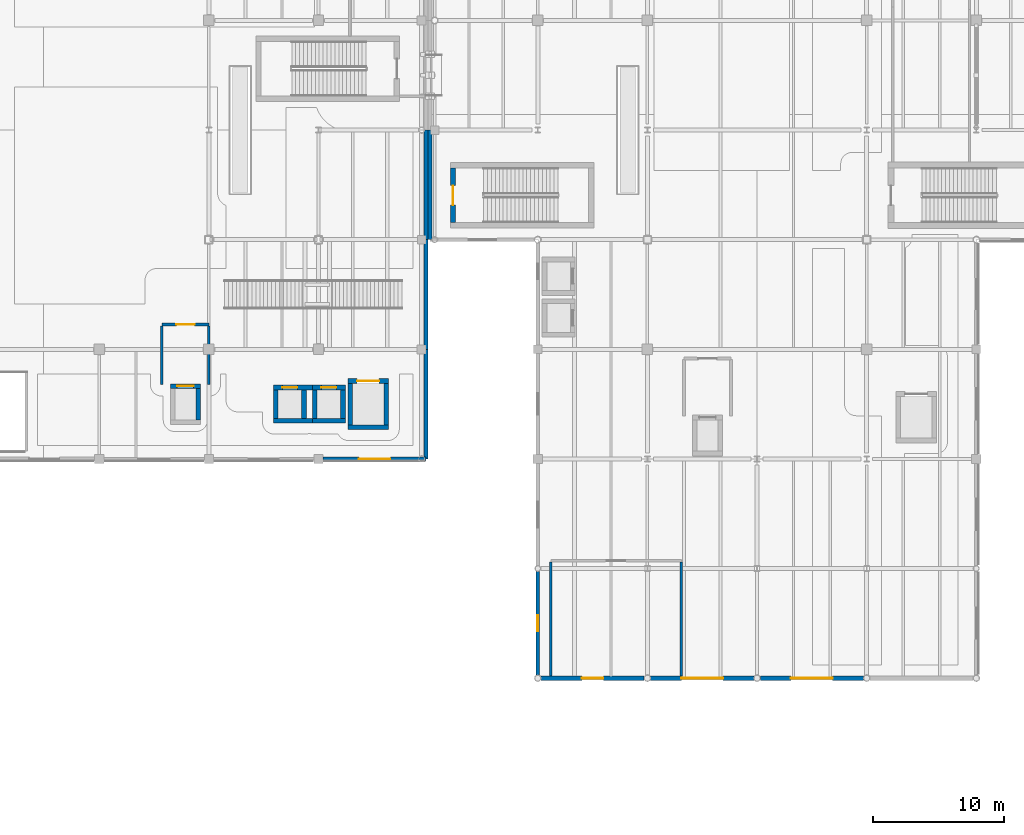
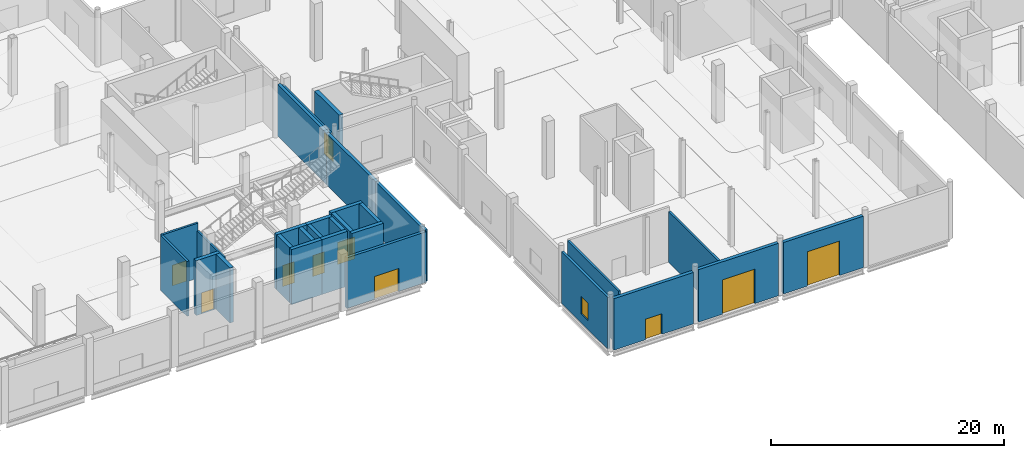
# One storey, part 44 of 85: 29 walls, 10 doors, 1 window, 11 openings.
"""IFC4 building model written with IfcOpenShell, lengths in metres."""

from ifc_helpers import new_model, si_unit, direction, frame, frame_2d, origin, place, context, subcontext, project, spatial, rectangle, extrude, material, layer, layer_set, type_object, element, fill, save


model = new_model("IFC4")

# Units and contexts
model_context = context("Model", 3, precision=1e-05, world=origin(), true_north=direction((0.0, 1.0)))
body_context = subcontext(model_context, "Body", "Model", "MODEL_VIEW")
ifc_project = project(units=[si_unit("LENGTHUNIT", "METRE"), si_unit("AREAUNIT", "SQUARE_METRE"), si_unit("VOLUMEUNIT", "CUBIC_METRE"), si_unit("PLANEANGLEUNIT", "RADIAN"), si_unit("MASSUNIT", "GRAM", prefix="KILO"), si_unit("THERMODYNAMICTEMPERATUREUNIT", "KELVIN")], contexts=[model_context])

# Site, building, storey
site_placement = place(None, origin())
site = spatial("IfcSite", under=ifc_project, at=site_placement, CompositionType="ELEMENT")
building_placement = place(site_placement, origin())
building = spatial("IfcBuilding", under=site, at=building_placement, Name="Lustrewick Department Store", CompositionType="ELEMENT")
storey_placement = place(building_placement, origin())
storey = spatial("IfcBuildingStorey", under=building, at=storey_placement, Name="L01", CompositionType="ELEMENT", Elevation=0.0)

# Wall, opening, window
ifc_material_1 = material(Name="Precast concrete C40", Category="concrete")
ifc_layer_1 = layer(ifc_material_1, 0.239990234375, Name="Precast concrete C40")
ifc_layer_set_1 = layer_set([ifc_layer_1], Name="Precast concrete C40")
wall_type_1 = type_object("IfcWallType", Name="EW01", PredefinedType="STANDARD", material=ifc_layer_set_1)
wall_1_placement = place(storey_placement, frame((67.199951171875, 33.37646484375, 0.0), z_axis=(0.0, 0.0, 1.0), x_axis=(0.0, -1.0, 0.0)))
wall_1 = element("IfcWall", 1, at=wall_1_placement, inside=storey, type_object=wall_type_1, Name="L01 V2 Exterior Wall EW01", PredefinedType="STANDARD", context=body_context, shape_type="SweptSolid", body=[
    extrude(rectangle(XDim=7.927490234375, YDim=0.239990234375, at=frame_2d((3.9638671875, 0.0))), origin(), (0.0, 0.0, 1.0), 5.386962890625),
])
opening_1_placement = place(wall_1_placement, frame((3.36376953125, 0.0, 0.949951171875)))
opening_1 = element("IfcOpeningElement", 2, at=opening_1_placement, cuts=wall_1, Name="Opening WN01", PredefinedType="OPENING", context=body_context, shape_type="SweptSolid", body=[
    extrude(rectangle(XDim=1.199951171875, YDim=1.800048828125, at=frame_2d((0.60009765625, 0.89990234375))), frame((0.0, 0.1298828125, 0.0), z_axis=(0.0, -1.0, 0.0), x_axis=(1.0, 0.0, 0.0)), (0.0, 0.0, 1.0), 0.260009765625),
])
ifc_material_2 = material(Name="Thermally broken Low-E triple-glazed window", Category="glass")
window_type = type_object("IfcWindowType", Name="WN01", PartitioningType="DOUBLE_PANEL_VERTICAL", PredefinedType="WINDOW", material=ifc_material_2)
window_placement = place(opening_1_placement, origin())
window = element("IfcWindow", 3, at=window_placement, inside=storey, type_object=window_type, Name="L01 Art Nouveau Window WN01", OverallHeight=1.800048828125, OverallWidth=1.199951171875, PartitioningType="SINGLE_PANEL", PredefinedType="WINDOW", context=body_context, shape_type="SweptSolid", body=[
    extrude(rectangle(XDim=1.199951171875, YDim=1.800048828125, at=frame_2d((0.60009765625, 0.89990234375))), frame((0.0, 0.030029296875, 0.0), z_axis=(0.0, -1.0, 0.0), x_axis=(1.0, 0.0, 0.0)), (0.0, 0.0, 1.0), 0.06005859375),
])
fill(opening_1, window)

# Wall, opening, door
ifc_layer_2 = layer(ifc_material_1, 0.280029296875, Name="Precast concrete C40")
ifc_layer_set_2 = layer_set([ifc_layer_2], Name="Precast concrete C40")
wall_type_2 = type_object("IfcWallType", Name="EW03", PredefinedType="STANDARD", material=ifc_layer_set_2)
wall_2_placement = place(storey_placement, frame((50.7451171875, 42.0, 0.0), z_axis=(0.0, 0.0, 1.0), x_axis=(1.0, 0.0, 0.0)))
wall_2 = element("IfcWall", 4, at=wall_2_placement, inside=storey, type_object=wall_type_2, Name="L01 V1 Exterior Wall EW03", PredefinedType="STANDARD", context=body_context, shape_type="SweptSolid", body=[
    extrude(rectangle(XDim=7.90478515625, YDim=0.280029296875, at=frame_2d((3.952392578125, 0.0))), origin(), (0.0, 0.0, 1.0), 5.297119140625),
])
opening_2_placement = place(wall_2_placement, frame((2.75244140625, 0.0, 0.0)))
opening_2 = element("IfcOpeningElement", 5, at=opening_2_placement, cuts=wall_2, Name="Opening D-EX24", PredefinedType="OPENING", context=body_context, shape_type="SweptSolid", body=[
    extrude(rectangle(XDim=2.39990234375, YDim=2.39990234375, at=frame_2d((1.199951171875, 1.199951171875))), frame((0.0, 0.14990234375, 0.0), z_axis=(0.0, -1.0, 0.0), x_axis=(1.0, 0.0, 0.0)), (0.0, 0.0, 1.0), 0.300048828125),
])
ifc_material_3 = material(Name="Thermally broken glazed aluminium entrance door", Category="aluminium")
door_type_1 = type_object("IfcDoorType", Name="DT-02", OperationType="NOTDEFINED", PredefinedType="DOOR", material=ifc_material_3)
door_1_placement = place(opening_2_placement, frame((2.39990234375, 0.0, 0.0), z_axis=(0.0, 0.0, 1.0), x_axis=(-1.0, 0.0, 0.0)))
door_1 = element("IfcDoor", 6, at=door_1_placement, inside=storey, type_object=door_type_1, Name="L01 Pedestrian Final Exit Door D-EX24", OperationType="DOUBLE_DOOR_SINGLE_SWING", OverallHeight=2.39990234375, OverallWidth=2.39990234375, PredefinedType="DOOR", context=body_context, shape_type="SweptSolid", body=[
    extrude(rectangle(XDim=2.39990234375, YDim=2.39990234375, at=frame_2d((1.199951171875, 1.199951171875))), frame((0.0, 0.02490234375, 0.0), z_axis=(0.0, -1.0, 0.0), x_axis=(1.0, 0.0, 0.0)), (0.0, 0.0, 1.0), 0.050048828125),
])
fill(opening_2, door_1)

# Walls
ifc_layer_3 = layer(ifc_material_1, 0.300048828125, Name="Precast concrete C40")
ifc_layer_set_3 = layer_set([ifc_layer_3], Name="Precast concrete C40")
wall_type_3 = type_object("IfcWallType", Name="EW04", PredefinedType="STANDARD", material=ifc_layer_set_3)
wall_3_placement = place(storey_placement, frame((58.64990234375, 42.0, 0.0), z_axis=(0.0, 0.0, 1.0), x_axis=(0.0, 1.0, 0.0)))
element("IfcWall", 7, at=wall_3_placement, inside=storey, type_object=wall_type_3, Name="L01 V1 Exterior Wall EW04", PredefinedType="STANDARD", context=body_context, shape_type="SweptSolid", body=[
    extrude(rectangle(XDim=8.39990234375, YDim=0.300048828125, at=frame_2d((4.199951171875, 0.0))), origin(), (0.0, 0.0, 1.0), 5.386962890625),
])
wall_4_placement = place(storey_placement, frame((58.64990234375, 50.39990234375, 0.0), z_axis=(0.0, 0.0, 1.0), x_axis=(0.0, 1.0, 0.0)))
element("IfcWall", 8, at=wall_4_placement, inside=storey, type_object=wall_type_3, Name="L01 V1 Exterior Wall EW04", PredefinedType="STANDARD", context=body_context, shape_type="SweptSolid", body=[
    extrude(rectangle(XDim=8.400146484375, YDim=0.300048828125, at=frame_2d((4.2001953125, 0.0))), origin(), (0.0, 0.0, 1.0), 5.386962890625),
])
wall_5_placement = place(storey_placement, frame((58.64990234375, 58.800048828125, 0.0), z_axis=(0.0, 0.0, 1.0), x_axis=(0.0, 1.0, 0.0)))
element("IfcWall", 9, at=wall_5_placement, inside=storey, type_object=wall_type_3, Name="L01 V1 Exterior Wall EW04", PredefinedType="STANDARD", context=body_context, shape_type="SweptSolid", body=[
    extrude(rectangle(XDim=8.39990234375, YDim=0.300048828125, at=frame_2d((4.199951171875, 0.0))), origin(), (0.0, 0.0, 1.0), 5.386962890625),
])
wall_6_placement = place(storey_placement, frame((58.949951171875, 67.199951171875, 0.0), z_axis=(0.0, 0.0, 1.0), x_axis=(0.0, -1.0, 0.0)))
element("IfcWall", 10, at=wall_6_placement, inside=storey, type_object=wall_type_3, Name="L01 V2 Exterior Wall EW04", PredefinedType="STANDARD", context=body_context, shape_type="SweptSolid", body=[
    extrude(rectangle(XDim=8.39990234375, YDim=0.300048828125, at=frame_2d((4.199951171875, 0.0))), origin(), (0.0, 0.0, 1.0), 5.23095703125),
])

# Wall, opening, door
ifc_layer_4 = layer(ifc_material_1, 0.330078125, Name="Precast concrete C40")
ifc_layer_set_4 = layer_set([ifc_layer_4], Name="Precast concrete C40")
wall_type_4 = type_object("IfcWallType", Name="EW05", PredefinedType="STANDARD", material=ifc_layer_set_4)
wall_7_placement = place(storey_placement, frame((67.448974609375, 25.199951171875, 0.0), z_axis=(0.0, 0.0, 1.0), x_axis=(1.0, 0.0, 0.0)))
wall_7 = element("IfcWall", 11, at=wall_7_placement, inside=storey, type_object=wall_type_4, Name="L01 V2 Exterior Wall EW05", PredefinedType="STANDARD", context=body_context, shape_type="SweptSolid", body=[
    extrude(rectangle(XDim=7.902099609375, YDim=0.330078125, at=frame_2d((3.951171875, 0.0))), origin(), (0.0, 0.0, 1.0), 5.386962890625),
])
opening_3_placement = place(wall_7_placement, frame((3.1259765625, 0.0, 0.0)))
opening_3 = element("IfcOpeningElement", 12, at=opening_3_placement, cuts=wall_7, Name="Opening D-L01-FCR", PredefinedType="OPENING", context=body_context, shape_type="SweptSolid", body=[
    extrude(rectangle(XDim=1.64990234375, YDim=2.14990234375, at=frame_2d((0.824951171875, 1.074951171875))), frame((0.0, 0.175048828125, 0.0), z_axis=(0.0, -1.0, 0.0), x_axis=(1.0, 0.0, 0.0)), (0.0, 0.0, 1.0), 0.35009765625),
])
ifc_material_4 = material(Name="Steel fire-rated exterior service door EI 60", Category="steel")
door_type_2 = type_object("IfcDoorType", Name="DT-04", OperationType="NOTDEFINED", PredefinedType="DOOR", material=ifc_material_4)
door_2_placement = place(opening_3_placement, frame((1.64990234375, 0.0, 0.0), z_axis=(0.0, 0.0, 1.0), x_axis=(-1.0, 0.0, 0.0)))
door_2 = element("IfcDoor", 13, at=door_2_placement, inside=storey, type_object=door_type_2, Name="L01 Fire Control Room Exterior Exit Door", OperationType="DOUBLE_DOOR_SINGLE_SWING", OverallHeight=2.14990234375, OverallWidth=1.64990234375, PredefinedType="DOOR", context=body_context, shape_type="SweptSolid", body=[
    extrude(rectangle(XDim=1.64990234375, YDim=2.14990234375, at=frame_2d((0.824951171875, 1.074951171875))), frame((0.0, 0.02490234375, 0.0), z_axis=(0.0, -1.0, 0.0), x_axis=(1.0, 0.0, 0.0)), (0.0, 0.0, 1.0), 0.050048828125),
])
fill(opening_3, door_2)

wall_8_placement = place(storey_placement, frame((75.84912109375, 25.199951171875, 0.0), z_axis=(0.0, 0.0, 1.0), x_axis=(1.0, 0.0, 0.0)))
wall_8 = element("IfcWall", 14, at=wall_8_placement, inside=storey, type_object=wall_type_4, Name="L01 V2 Exterior Wall EW05", PredefinedType="STANDARD", context=body_context, shape_type="SweptSolid", body=[
    extrude(rectangle(XDim=7.90185546875, YDim=0.330078125, at=frame_2d((3.950927734375, 0.0))), origin(), (0.0, 0.0, 1.0), 5.487060546875),
])
opening_4_placement = place(wall_8_placement, frame((2.35107421875, 0.0, 0.0)))
opening_4 = element("IfcOpeningElement", 15, at=opening_4_placement, cuts=wall_8, Name="Opening D-DK01", PredefinedType="OPENING", context=body_context, shape_type="SweptSolid", body=[
    extrude(rectangle(XDim=3.199951171875, YDim=3.60009765625, at=frame_2d((1.60009765625, 1.800048828125))), frame((0.0, 0.175048828125, 0.0), z_axis=(0.0, -1.0, 0.0), x_axis=(1.0, 0.0, 0.0)), (0.0, 0.0, 1.0), 0.35009765625),
])
ifc_material_5 = material(Name="Insulated steel loading-dock shutter door", Category="steel")
door_type_3 = type_object("IfcDoorType", Name="DT-05", OperationType="NOTDEFINED", PredefinedType="DOOR", material=ifc_material_5)
door_3_placement = place(opening_4_placement, frame((3.199951171875, 0.0, 0.0), z_axis=(0.0, 0.0, 1.0), x_axis=(-1.0, 0.0, 0.0)))
door_3 = element("IfcDoor", 16, at=door_3_placement, inside=storey, type_object=door_type_3, Name="L01 South Loading Dock Door 1", OperationType="DOUBLE_DOOR_SLIDING", OverallHeight=3.60009765625, OverallWidth=3.199951171875, PredefinedType="DOOR", context=body_context, shape_type="SweptSolid", body=[
    extrude(rectangle(XDim=3.199951171875, YDim=3.60009765625, at=frame_2d((1.60009765625, 1.800048828125))), frame((0.0, 0.02490234375, 0.0), z_axis=(0.0, -1.0, 0.0), x_axis=(1.0, 0.0, 0.0)), (0.0, 0.0, 1.0), 0.050048828125),
])
fill(opening_4, door_3)

wall_9_placement = place(storey_placement, frame((84.2490234375, 25.199951171875, 0.0), z_axis=(0.0, 0.0, 1.0), x_axis=(1.0, 0.0, 0.0)))
wall_9 = element("IfcWall", 17, at=wall_9_placement, inside=storey, type_object=wall_type_4, Name="L01 V2 Exterior Wall EW05", PredefinedType="STANDARD", context=body_context, shape_type="SweptSolid", body=[
    extrude(rectangle(XDim=7.90185546875, YDim=0.330078125, at=frame_2d((3.950927734375, 0.0))), origin(), (0.0, 0.0, 1.0), 5.386962890625),
])
opening_5_placement = place(wall_9_placement, frame((2.35107421875, 0.0, 0.0)))
opening_5 = element("IfcOpeningElement", 18, at=opening_5_placement, cuts=wall_9, Name="Opening D-DK02", PredefinedType="OPENING", context=body_context, shape_type="SweptSolid", body=[
    extrude(rectangle(XDim=3.199951171875, YDim=3.60009765625, at=frame_2d((1.60009765625, 1.800048828125))), frame((0.0, 0.175048828125, 0.0), z_axis=(0.0, -1.0, 0.0), x_axis=(1.0, 0.0, 0.0)), (0.0, 0.0, 1.0), 0.35009765625),
])
door_4_placement = place(opening_5_placement, frame((3.199951171875, 0.0, 0.0), z_axis=(0.0, 0.0, 1.0), x_axis=(-1.0, 0.0, 0.0)))
door_4 = element("IfcDoor", 19, at=door_4_placement, inside=storey, type_object=door_type_3, Name="L01 South Loading Dock Door 2", OperationType="DOUBLE_DOOR_SLIDING", OverallHeight=3.60009765625, OverallWidth=3.199951171875, PredefinedType="DOOR", context=body_context, shape_type="SweptSolid", body=[
    extrude(rectangle(XDim=3.199951171875, YDim=3.60009765625, at=frame_2d((1.60009765625, 1.800048828125))), frame((0.0, 0.02490234375, 0.0), z_axis=(0.0, -1.0, 0.0), x_axis=(1.0, 0.0, 0.0)), (0.0, 0.0, 1.0), 0.050048828125),
])
fill(opening_5, door_4)

ifc_material_6 = material(Name="Autoclaved aerated concrete blockwork and fire board", Category="masonry")
ifc_layer_5 = layer(ifc_material_6, 0.205078125, Name="Autoclaved aerated concrete blockwork and fire board")
ifc_layer_set_5 = layer_set([ifc_layer_5], Name="Autoclaved aerated concrete blockwork and fire board")
wall_type_5 = type_object("IfcWallType", Name="PW02", PredefinedType="PARTITIONING", material=ifc_layer_set_5)
wall_10_placement = place(storey_placement, frame((42.0, 52.300048828125, 0.0), z_axis=(0.0, 0.0, 1.0), x_axis=(-1.0, 0.0, 0.0)))
wall_10 = element("IfcWall", 20, at=wall_10_placement, inside=storey, type_object=wall_type_5, Name="L01 Firefighting Lift Lobby FFL-01 PW02", PredefinedType="PARTITIONING", context=body_context, shape_type="SweptSolid", body=[
    extrude(rectangle(XDim=3.60009765625, YDim=0.205078125, at=frame_2d((1.800048828125, 0.0))), origin(), (0.0, 0.0, 1.0), 5.7451171875),
])
opening_6_placement = place(wall_10_placement, frame((1.10009765625, 0.0, 0.0)))
opening_6 = element("IfcOpeningElement", 21, at=opening_6_placement, cuts=wall_10, Name="Opening D-L01-041", PredefinedType="OPENING", context=body_context, shape_type="SweptSolid", body=[
    extrude(rectangle(XDim=1.39990234375, YDim=2.14990234375, at=frame_2d((0.699951171875, 1.074951171875))), frame((0.0, 0.112548828125, 0.0), z_axis=(0.0, -1.0, 0.0), x_axis=(1.0, 0.0, 0.0)), (0.0, 0.0, 1.0), 0.22509765625),
])
ifc_material_7 = material(Name="Steel fire door Class B EI 60", Category="steel")
door_type_4 = type_object("IfcDoorType", Name="DT-08", OperationType="NOTDEFINED", PredefinedType="DOOR", material=ifc_material_7)
door_5_placement = place(opening_6_placement, origin())
door_5 = element("IfcDoor", 22, at=door_5_placement, inside=storey, type_object=door_type_4, Name="L01 Firefighting Lift Lobby FFL-01 Door D-L01-041", OperationType="SINGLE_SWING_RIGHT", OverallHeight=2.14990234375, OverallWidth=1.39990234375, PredefinedType="DOOR", context=body_context, shape_type="SweptSolid", body=[
    extrude(rectangle(XDim=1.39990234375, YDim=2.14990234375, at=frame_2d((0.699951171875, 1.074951171875))), frame((0.0, 0.02490234375, 0.0), z_axis=(0.0, -1.0, 0.0), x_axis=(1.0, 0.0, 0.0)), (0.0, 0.0, 1.0), 0.050048828125),
])
fill(opening_6, door_5)

# Walls
wall_11_placement = place(storey_placement, frame((42.0, 47.699951171875, 0.0), z_axis=(0.0, 0.0, 1.0), x_axis=(0.0, 1.0, 0.0)))
element("IfcWall", 23, at=wall_11_placement, inside=storey, type_object=wall_type_5, Name="L01 Firefighting Lift Lobby FFL-01 PW02", PredefinedType="PARTITIONING", context=body_context, shape_type="SweptSolid", body=[
    extrude(rectangle(XDim=4.50244140625, YDim=0.205078125, at=frame_2d((2.251220703125, 0.0))), origin(), (0.0, 0.0, 1.0), 4.945068359375),
])
wall_12_placement = place(storey_placement, frame((38.39990234375, 52.202392578125, 0.0), z_axis=(0.0, 0.0, 1.0), x_axis=(0.0, -1.0, 0.0)))
element("IfcWall", 24, at=wall_12_placement, inside=storey, type_object=wall_type_5, Name="L01 Firefighting Lift Lobby FFL-01 PW02", PredefinedType="PARTITIONING", context=body_context, shape_type="SweptSolid", body=[
    extrude(rectangle(XDim=4.50244140625, YDim=0.205078125, at=frame_2d((2.251220703125, 0.0))), origin(), (0.0, 0.0, 1.0), 5.7451171875),
])
wall_13_placement = place(storey_placement, frame((78.199951171875, 25.360107421875, 0.0), z_axis=(0.0, 0.0, 1.0), x_axis=(0.0, 1.0, 0.0)))
element("IfcWall", 25, at=wall_13_placement, inside=storey, type_object=wall_type_5, Name="L01 Fire Control Room PW02", PredefinedType="PARTITIONING", context=body_context, shape_type="SweptSolid", body=[
    extrude(rectangle(XDim=8.742431640625, YDim=0.205078125, at=frame_2d((4.37109375, 0.0))), origin(), (0.0, 0.0, 1.0), 5.287109375),
])
wall_14_placement = place(storey_placement, frame((68.199951171875, 34.1025390625, 0.0), z_axis=(0.0, 0.0, 1.0), x_axis=(0.0, -1.0, 0.0)))
element("IfcWall", 26, at=wall_14_placement, inside=storey, type_object=wall_type_5, Name="L01 Fire Control Room PW02", PredefinedType="PARTITIONING", context=body_context, shape_type="SweptSolid", body=[
    extrude(rectangle(XDim=8.742431640625, YDim=0.205078125, at=frame_2d((4.37109375, 0.0))), origin(), (0.0, 0.0, 1.0), 5.7451171875),
])

# Wall, opening, door
ifc_material_8 = material(Name="Concrete C50", Category="concrete")
ifc_layer_6 = layer(ifc_material_8, 0.39990234375, Name="Concrete C50")
ifc_layer_set_6 = layer_set([ifc_layer_6], Name="Concrete C50")
wall_type_6 = type_object("IfcWallType", Name="SW02", PredefinedType="SHEAR", material=ifc_layer_set_6)
wall_15_placement = place(storey_placement, frame((60.699951171875, 64.300048828125, 0.0), z_axis=(0.0, 0.0, 1.0), x_axis=(0.0, -1.0, 0.0)))
wall_15 = element("IfcWall", 27, at=wall_15_placement, inside=storey, type_object=wall_type_6, Name="L01 Stair Core ST04 Shear Wall W", PredefinedType="SHEAR", context=body_context, shape_type="SweptSolid", body=[
    extrude(rectangle(XDim=4.199951171875, YDim=0.39990234375, at=frame_2d((2.10009765625, 0.0))), origin(), (0.0, 0.0, 1.0), 5.7451171875),
])
opening_7_placement = place(wall_15_placement, frame((1.35009765625, 0.0, 0.0)))
opening_7 = element("IfcOpeningElement", 28, at=opening_7_placement, cuts=wall_15, Name="Opening D-L01-004", PredefinedType="OPENING", context=body_context, shape_type="SweptSolid", body=[
    extrude(rectangle(XDim=1.5, YDim=2.14990234375, at=frame_2d((0.75, 1.074951171875))), frame((0.0, 0.2099609375, 0.0), z_axis=(0.0, -1.0, 0.0), x_axis=(1.0, 0.0, 0.0)), (0.0, 0.0, 1.0), 0.419921875),
])
door_type_5 = type_object("IfcDoorType", Name="DT-07", OperationType="NOTDEFINED", PredefinedType="DOOR", material=ifc_material_7)
door_6_placement = place(opening_7_placement, frame((1.5, 0.0, 0.0), z_axis=(0.0, 0.0, 1.0), x_axis=(-1.0, 0.0, 0.0)))
door_6 = element("IfcDoor", 29, at=door_6_placement, inside=storey, type_object=door_type_5, Name="L01 Smoke-Proof Stair ST04 Fire Door", OperationType="SINGLE_SWING_RIGHT", OverallHeight=2.14990234375, OverallWidth=1.5, PredefinedType="DOOR", context=body_context, shape_type="SweptSolid", body=[
    extrude(rectangle(XDim=1.5, YDim=2.14990234375, at=frame_2d((0.75, 1.074951171875))), frame((0.0, 0.02490234375, 0.0), z_axis=(0.0, -1.0, 0.0), x_axis=(1.0, 0.0, 0.0)), (0.0, 0.0, 1.0), 0.050048828125),
])
fill(opening_7, door_6)

# Wall
ifc_material_9 = material(Name="Concrete C40", Category="concrete")
ifc_layer_7 = layer(ifc_material_9, 0.360107421875, Name="Concrete C40")
ifc_layer_set_7 = layer_set([ifc_layer_7], Name="Concrete C40")
wall_type_7 = type_object("IfcWallType", Name="SW04", PredefinedType="SHEAR", material=ifc_layer_set_7)
wall_16_placement = place(storey_placement, frame((41.179931640625, 45.0, 0.0), z_axis=(0.0, 0.0, 1.0), x_axis=(0.0, 1.0, 0.0)))
element("IfcWall", 30, at=wall_16_placement, inside=storey, type_object=wall_type_7, Name="L01 Lift FFL-01 Shaft Wall +X", PredefinedType="SHEAR", context=body_context, shape_type="SweptSolid", body=[
    extrude(rectangle(XDim=2.39990234375, YDim=0.360107421875, at=frame_2d((1.199951171875, 0.0))), origin(), (0.0, 0.0, 1.0), 5.7451171875),
])

# Wall, opening, door
wall_17_placement = place(storey_placement, frame((41.360107421875, 47.580078125, 0.0), z_axis=(0.0, 0.0, 1.0), x_axis=(-1.0, 0.0, 0.0)))
wall_17 = element("IfcWall", 31, at=wall_17_placement, inside=storey, type_object=wall_type_7, Name="L01 Lift FFL-01 Shaft Wall +Y", PredefinedType="SHEAR", context=body_context, shape_type="SweptSolid", body=[
    extrude(rectangle(XDim=2.320068359375, YDim=0.360107421875, at=frame_2d((1.16015625, 0.0))), origin(), (0.0, 0.0, 1.0), 5.7451171875),
])
opening_8_placement = place(wall_17_placement, frame((0.534912109375, 0.0, 0.0)))
opening_8 = element("IfcOpeningElement", 32, at=opening_8_placement, cuts=wall_17, Name="Opening LD-L01-01", PredefinedType="OPENING", context=body_context, shape_type="SweptSolid", body=[
    extrude(rectangle(XDim=1.25, YDim=2.199951171875, at=frame_2d((0.625, 1.10009765625))), frame((0.0, 0.18994140625, 0.0), z_axis=(0.0, -1.0, 0.0), x_axis=(1.0, 0.0, 0.0)), (0.0, 0.0, 1.0), 0.380126953125),
])
ifc_material_10 = material(Name="Stainless steel firefighting lift landing door EI 90", Category="steel")
door_type_6 = type_object("IfcDoorType", Name="DT-15", OperationType="NOTDEFINED", PredefinedType="DOOR", material=ifc_material_10)
door_7_placement = place(opening_8_placement, frame((1.25, 0.0, 0.0), z_axis=(0.0, 0.0, 1.0), x_axis=(-1.0, 0.0, 0.0)))
door_7 = element("IfcDoor", 33, at=door_7_placement, inside=storey, type_object=door_type_6, Name="L01 Lift FFL-01 Sliding Landing Door LD-L01-01", OperationType="DOUBLE_DOOR_SLIDING", OverallHeight=2.199951171875, OverallWidth=1.25, PredefinedType="DOOR", context=body_context, shape_type="SweptSolid", body=[
    extrude(rectangle(XDim=1.25, YDim=2.199951171875, at=frame_2d((0.625, 1.10009765625))), frame((0.0, 0.02490234375, 0.0), z_axis=(0.0, -1.0, 0.0), x_axis=(1.0, 0.0, 0.0)), (0.0, 0.0, 1.0), 0.050048828125),
])
fill(opening_8, door_7)

# Walls
wall_18_placement = place(storey_placement, frame((46.93994140625, 44.919921875, 0.0), z_axis=(0.0, 0.0, 1.0), x_axis=(1.0, 0.0, 0.0)))
element("IfcWall", 34, at=wall_18_placement, inside=storey, type_object=wall_type_7, Name="L01 Lift PL-01 Shaft Wall -Y", PredefinedType="SHEAR", context=body_context, shape_type="SweptSolid", body=[
    extrude(rectangle(XDim=3.0, YDim=0.360107421875, at=frame_2d((1.5, 0.0))), origin(), (0.0, 0.0, 1.0), 5.7451171875),
])
wall_19_placement = place(storey_placement, frame((49.280029296875, 45.10009765625, 0.0), z_axis=(0.0, 0.0, 1.0), x_axis=(0.0, 1.0, 0.0)))
element("IfcWall", 35, at=wall_19_placement, inside=storey, type_object=wall_type_7, Name="L01 Lift PL-01 Shaft Wall +X", PredefinedType="SHEAR", context=body_context, shape_type="SweptSolid", body=[
    extrude(rectangle(XDim=2.199951171875, YDim=0.360107421875, at=frame_2d((1.10009765625, 0.0))), origin(), (0.0, 0.0, 1.0), 5.7451171875),
])

# Wall, opening, door
wall_20_placement = place(storey_placement, frame((49.93994140625, 47.47998046875, 0.0), z_axis=(0.0, 0.0, 1.0), x_axis=(-1.0, 0.0, 0.0)))
wall_20 = element("IfcWall", 36, at=wall_20_placement, inside=storey, type_object=wall_type_7, Name="L01 Lift PL-01 Shaft Wall +Y", PredefinedType="SHEAR", context=body_context, shape_type="SweptSolid", body=[
    extrude(rectangle(XDim=3.0, YDim=0.360107421875, at=frame_2d((1.5, 0.0))), origin(), (0.0, 0.0, 1.0), 5.7451171875),
])
opening_9_placement = place(wall_20_placement, frame((1.1650390625, 0.0, 0.0)))
opening_9 = element("IfcOpeningElement", 37, at=opening_9_placement, cuts=wall_20, Name="Opening LD-L01-05", PredefinedType="OPENING", context=body_context, shape_type="SweptSolid", body=[
    extrude(rectangle(XDim=1.14990234375, YDim=2.199951171875, at=frame_2d((0.574951171875, 1.10009765625))), frame((0.0, 0.18994140625, 0.0), z_axis=(0.0, -1.0, 0.0), x_axis=(1.0, 0.0, 0.0)), (0.0, 0.0, 1.0), 0.380126953125),
])
ifc_material_11 = material(Name="Brushed bronze passenger lift landing door EI 60", Category="steel")
door_type_7 = type_object("IfcDoorType", Name="DT-16", OperationType="NOTDEFINED", PredefinedType="DOOR", material=ifc_material_11)
door_8_placement = place(opening_9_placement, frame((1.14990234375, 0.0, 0.0), z_axis=(0.0, 0.0, 1.0), x_axis=(-1.0, 0.0, 0.0)))
door_8 = element("IfcDoor", 38, at=door_8_placement, inside=storey, type_object=door_type_7, Name="L01 Lift PL-01 Sliding Landing Door LD-L01-05", OperationType="DOUBLE_DOOR_SLIDING", OverallHeight=2.199951171875, OverallWidth=1.14990234375, PredefinedType="DOOR", context=body_context, shape_type="SweptSolid", body=[
    extrude(rectangle(XDim=1.14990234375, YDim=2.199951171875, at=frame_2d((0.574951171875, 1.10009765625))), frame((0.0, 0.02490234375, 0.0), z_axis=(0.0, -1.0, 0.0), x_axis=(1.0, 0.0, 0.0)), (0.0, 0.0, 1.0), 0.050048828125),
])
fill(opening_9, door_8)

# Walls
wall_21_placement = place(storey_placement, frame((47.1201171875, 47.300048828125, 0.0), z_axis=(0.0, 0.0, 1.0), x_axis=(0.0, -1.0, 0.0)))
element("IfcWall", 39, at=wall_21_placement, inside=storey, type_object=wall_type_7, Name="L01 Lift PL-01 Shaft Wall -X", PredefinedType="SHEAR", context=body_context, shape_type="SweptSolid", body=[
    extrude(rectangle(XDim=2.199951171875, YDim=0.360107421875, at=frame_2d((1.10009765625, 0.0))), origin(), (0.0, 0.0, 1.0), 5.7451171875),
])
wall_22_placement = place(storey_placement, frame((49.93994140625, 44.919921875, 0.0), z_axis=(0.0, 0.0, 1.0), x_axis=(1.0, 0.0, 0.0)))
element("IfcWall", 40, at=wall_22_placement, inside=storey, type_object=wall_type_7, Name="L01 Lift PL-02 Shaft Wall -Y", PredefinedType="SHEAR", context=body_context, shape_type="SweptSolid", body=[
    extrude(rectangle(XDim=2.52001953125, YDim=0.360107421875, at=frame_2d((1.260009765625, 0.0))), origin(), (0.0, 0.0, 1.0), 5.7451171875),
])
wall_23_placement = place(storey_placement, frame((52.280029296875, 45.10009765625, 0.0), z_axis=(0.0, 0.0, 1.0), x_axis=(0.0, 1.0, 0.0)))
element("IfcWall", 41, at=wall_23_placement, inside=storey, type_object=wall_type_7, Name="L01 Lift PL-02 Shaft Wall +X", PredefinedType="SHEAR", context=body_context, shape_type="SweptSolid", body=[
    extrude(rectangle(XDim=2.199951171875, YDim=0.360107421875, at=frame_2d((1.10009765625, 0.0))), origin(), (0.0, 0.0, 1.0), 5.7451171875),
])

# Wall, opening, door
wall_24_placement = place(storey_placement, frame((52.4599609375, 47.47998046875, 0.0), z_axis=(0.0, 0.0, 1.0), x_axis=(-1.0, 0.0, 0.0)))
wall_24 = element("IfcWall", 42, at=wall_24_placement, inside=storey, type_object=wall_type_7, Name="L01 Lift PL-02 Shaft Wall +Y", PredefinedType="SHEAR", context=body_context, shape_type="SweptSolid", body=[
    extrude(rectangle(XDim=2.52001953125, YDim=0.360107421875, at=frame_2d((1.260009765625, 0.0))), origin(), (0.0, 0.0, 1.0), 5.7451171875),
])
opening_10_placement = place(wall_24_placement, frame((0.68505859375, 0.0, 0.0)))
opening_10 = element("IfcOpeningElement", 43, at=opening_10_placement, cuts=wall_24, Name="Opening LD-L01-06", PredefinedType="OPENING", context=body_context, shape_type="SweptSolid", body=[
    extrude(rectangle(XDim=1.14990234375, YDim=2.199951171875, at=frame_2d((0.574951171875, 1.10009765625))), frame((0.0, 0.18994140625, 0.0), z_axis=(0.0, -1.0, 0.0), x_axis=(1.0, 0.0, 0.0)), (0.0, 0.0, 1.0), 0.380126953125),
])
door_9_placement = place(opening_10_placement, frame((1.14990234375, 0.0, 0.0), z_axis=(0.0, 0.0, 1.0), x_axis=(-1.0, 0.0, 0.0)))
door_9 = element("IfcDoor", 44, at=door_9_placement, inside=storey, type_object=door_type_7, Name="L01 Lift PL-02 Sliding Landing Door LD-L01-06", OperationType="DOUBLE_DOOR_SLIDING", OverallHeight=2.199951171875, OverallWidth=1.14990234375, PredefinedType="DOOR", context=body_context, shape_type="SweptSolid", body=[
    extrude(rectangle(XDim=1.14990234375, YDim=2.199951171875, at=frame_2d((0.574951171875, 1.10009765625))), frame((0.0, 0.02490234375, 0.0), z_axis=(0.0, -1.0, 0.0), x_axis=(1.0, 0.0, 0.0)), (0.0, 0.0, 1.0), 0.050048828125),
])
fill(opening_10, door_9)

# Walls
wall_25_placement = place(storey_placement, frame((50.1201171875, 47.300048828125, 0.0), z_axis=(0.0, 0.0, 1.0), x_axis=(0.0, -1.0, 0.0)))
element("IfcWall", 45, at=wall_25_placement, inside=storey, type_object=wall_type_7, Name="L01 Lift PL-02 Shaft Wall -X", PredefinedType="SHEAR", context=body_context, shape_type="SweptSolid", body=[
    extrude(rectangle(XDim=2.199951171875, YDim=0.360107421875, at=frame_2d((1.10009765625, 0.0))), origin(), (0.0, 0.0, 1.0), 5.7451171875),
])
wall_26_placement = place(storey_placement, frame((52.639892578125, 44.419921875, 0.0), z_axis=(0.0, 0.0, 1.0), x_axis=(1.0, 0.0, 0.0)))
element("IfcWall", 46, at=wall_26_placement, inside=storey, type_object=wall_type_7, Name="L01 Lift GL-01 Shaft Wall -Y", PredefinedType="SHEAR", context=body_context, shape_type="SweptSolid", body=[
    extrude(rectangle(XDim=3.1201171875, YDim=0.360107421875, at=frame_2d((1.56005859375, 0.0))), origin(), (0.0, 0.0, 1.0), 5.7451171875),
])
wall_27_placement = place(storey_placement, frame((55.580078125, 44.60009765625, 0.0), z_axis=(0.0, 0.0, 1.0), x_axis=(0.0, 1.0, 0.0)))
element("IfcWall", 47, at=wall_27_placement, inside=storey, type_object=wall_type_7, Name="L01 Lift GL-01 Shaft Wall +X", PredefinedType="SHEAR", context=body_context, shape_type="SweptSolid", body=[
    extrude(rectangle(XDim=3.199951171875, YDim=0.360107421875, at=frame_2d((1.60009765625, 0.0))), origin(), (0.0, 0.0, 1.0), 5.7451171875),
])

# Wall, opening, door
wall_28_placement = place(storey_placement, frame((55.760009765625, 47.97998046875, 0.0), z_axis=(0.0, 0.0, 1.0), x_axis=(-1.0, 0.0, 0.0)))
wall_28 = element("IfcWall", 48, at=wall_28_placement, inside=storey, type_object=wall_type_7, Name="L01 Lift GL-01 Shaft Wall +Y", PredefinedType="SHEAR", context=body_context, shape_type="SweptSolid", body=[
    extrude(rectangle(XDim=3.1201171875, YDim=0.360107421875, at=frame_2d((1.56005859375, 0.0))), origin(), (0.0, 0.0, 1.0), 5.7451171875),
])
opening_11_placement = place(wall_28_placement, frame((0.7099609375, 0.0, 0.0)))
opening_11 = element("IfcOpeningElement", 49, at=opening_11_placement, cuts=wall_28, Name="Opening LD-L01-13", PredefinedType="OPENING", context=body_context, shape_type="SweptSolid", body=[
    extrude(rectangle(XDim=1.699951171875, YDim=2.300048828125, at=frame_2d((0.85009765625, 1.14990234375))), frame((0.0, 0.18994140625, 0.0), z_axis=(0.0, -1.0, 0.0), x_axis=(1.0, 0.0, 0.0)), (0.0, 0.0, 1.0), 0.380126953125),
])
ifc_material_12 = material(Name="Heavy-duty stainless goods lift landing door EI 90", Category="steel")
door_type_8 = type_object("IfcDoorType", Name="DT-17", OperationType="NOTDEFINED", PredefinedType="DOOR", material=ifc_material_12)
door_10_placement = place(opening_11_placement, frame((1.699951171875, 0.0, 0.0), z_axis=(0.0, 0.0, 1.0), x_axis=(-1.0, 0.0, 0.0)))
door_10 = element("IfcDoor", 50, at=door_10_placement, inside=storey, type_object=door_type_8, Name="L01 Lift GL-01 Sliding Landing Door LD-L01-13", OperationType="DOUBLE_DOOR_SLIDING", OverallHeight=2.300048828125, OverallWidth=1.699951171875, PredefinedType="DOOR", context=body_context, shape_type="SweptSolid", body=[
    extrude(rectangle(XDim=1.699951171875, YDim=2.300048828125, at=frame_2d((0.85009765625, 1.14990234375))), frame((0.0, 0.02490234375, 0.0), z_axis=(0.0, -1.0, 0.0), x_axis=(1.0, 0.0, 0.0)), (0.0, 0.0, 1.0), 0.050048828125),
])
fill(opening_11, door_10)

# Wall
wall_29_placement = place(storey_placement, frame((52.820068359375, 47.800048828125, 0.0), z_axis=(0.0, 0.0, 1.0), x_axis=(0.0, -1.0, 0.0)))
element("IfcWall", 51, at=wall_29_placement, inside=storey, type_object=wall_type_7, Name="L01 Lift GL-01 Shaft Wall -X", PredefinedType="SHEAR", context=body_context, shape_type="SweptSolid", body=[
    extrude(rectangle(XDim=3.199951171875, YDim=0.360107421875, at=frame_2d((1.60009765625, 0.0))), origin(), (0.0, 0.0, 1.0), 5.7451171875),
])

save(model, "model.ifc")
